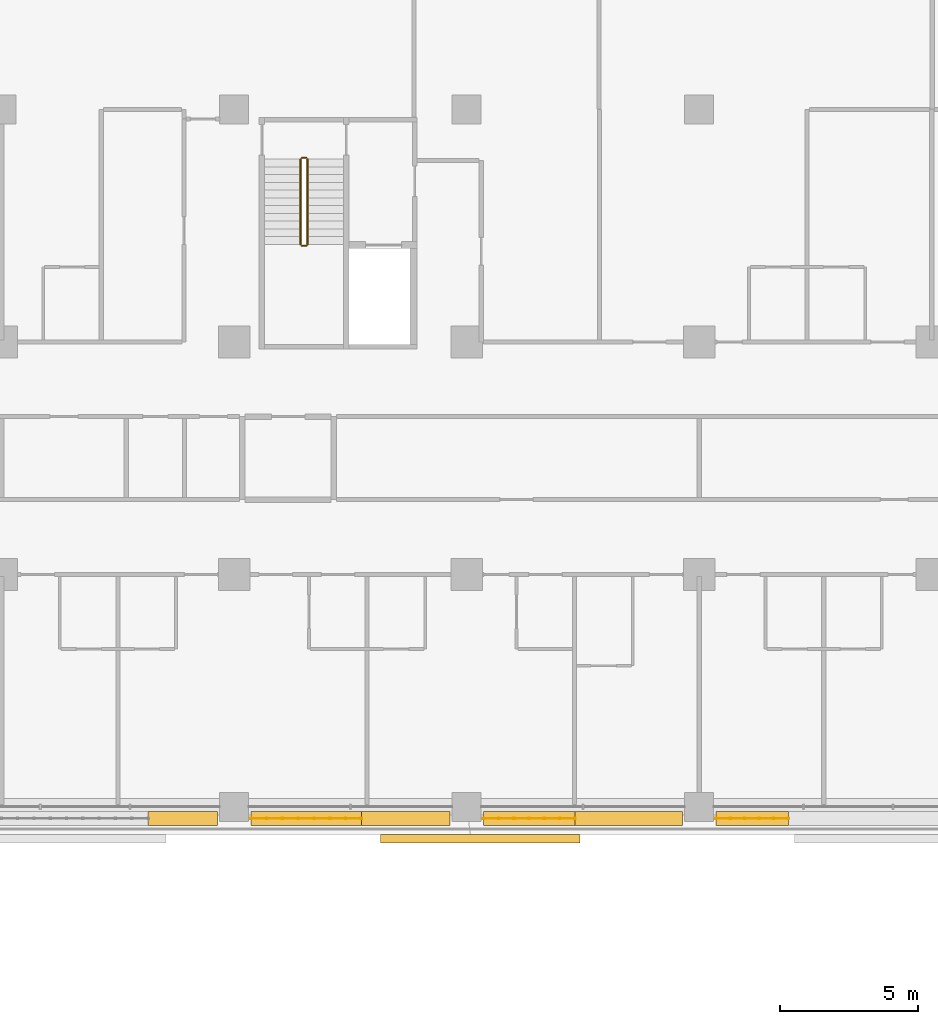
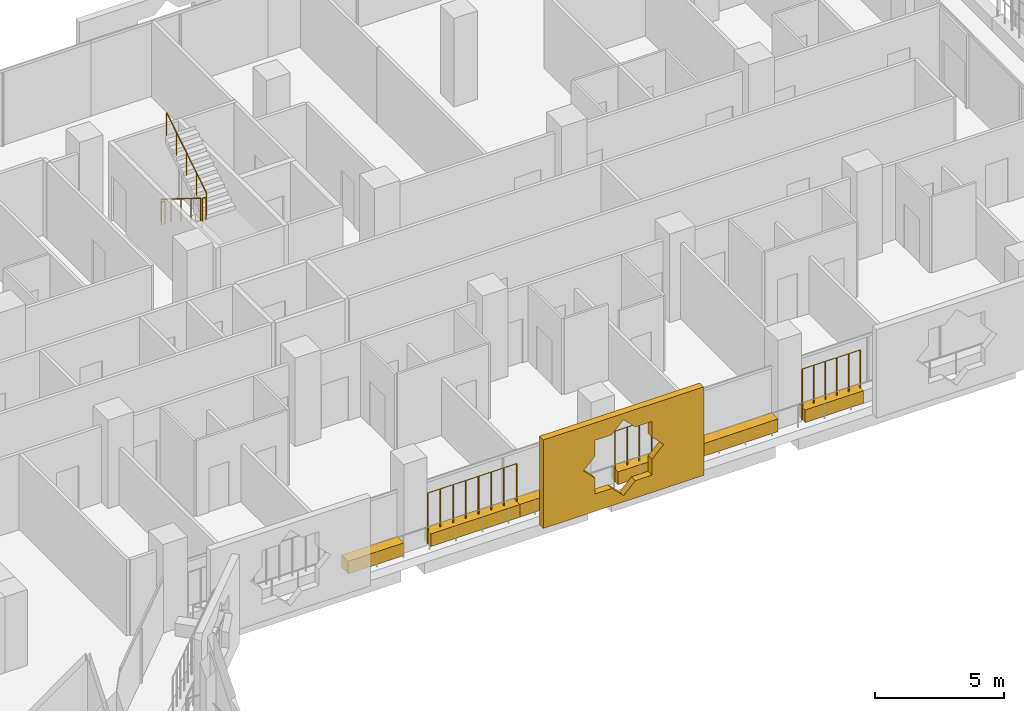
# One storey, part 23 of 25: 7 coverings, 7 railings.
"""IFC4 building model written with IfcOpenShell, lengths in metres."""

from ifc_helpers import new_model, si_unit, direction, frame, origin, origin_2d, place, context, subcontext, project, spatial, polyline, rectangle, circle, outline, extrude, material, material_profile, profile_set, type_object, element, save


model = new_model("IFC4")

# Units and contexts
model_context = context("Model", 3, precision=1e-05, world=origin(), true_north=direction((0.0, 1.0)))
body_context = subcontext(model_context, "Body", "Model", "MODEL_VIEW")
ifc_project = project(units=[si_unit("LENGTHUNIT", "METRE"), si_unit("AREAUNIT", "SQUARE_METRE"), si_unit("VOLUMEUNIT", "CUBIC_METRE"), si_unit("PLANEANGLEUNIT", "RADIAN"), si_unit("MASSUNIT", "GRAM", prefix="KILO")], contexts=[model_context])

# Site, building, storey
site_placement = place(None, origin())
site = spatial("IfcSite", under=ifc_project, at=site_placement, CompositionType="ELEMENT")
building_placement = place(site_placement, origin())
building = spatial("IfcBuilding", under=site, at=building_placement, Name="Kawkab Arch Medical Tower", CompositionType="ELEMENT")
storey_placement = place(building_placement, frame((0.0, 0.0, 140.800048828125)))
storey = spatial("IfcBuildingStorey", under=building, at=storey_placement, Name="L32", CompositionType="ELEMENT", Elevation=140.800048828125)

# Coverings
ifc_material_1 = material(Name="Bronze anodised aluminium mashrabiya panel, eight-point star pattern", Category="aluminium")
ifc_material_profile_1 = material_profile(ifc_material_1, outline(polyline([(-3.60009765625, -2.10009765625), (3.60009765625, -2.10009765625), (3.60009765625, 2.10009765625), (-3.60009765625, 2.10009765625), (-3.60009765625, -2.10009765625)]), holes=[polyline([(1.800048828125, 0.0), (1.272705078125, 0.527099609375), (1.272705078125, 1.272705078125), (0.527099609375, 1.272705078125), (0.0, 1.800048828125), (-0.527099609375, 1.272705078125), (-1.272705078125, 1.272705078125), (-1.272705078125, 0.527099609375), (-1.800048828125, 0.0), (-1.272705078125, -0.527099609375), (-1.272705078125, -1.272705078125), (-0.527099609375, -1.272705078125), (0.0, -1.800048828125), (0.527099609375, -1.272705078125), (1.272705078125, -1.272705078125), (1.272705078125, -0.527099609375), (1.800048828125, 0.0)])]), Name="Mashrabiya panel 7200x4200")
ifc_profile_set_1 = profile_set([ifc_material_profile_1], Name="Bronze anodised aluminium mashrabiya panel, eight-point star pattern")
covering_type_1 = type_object("IfcCoveringType", Name="Mashrabiya panel 7200 x 4200", PredefinedType="USERDEFINED", material=ifc_profile_set_1)
covering_1_placement = place(storey_placement, frame((50.892333984375, -26.199951171875, 1.699951171875), z_axis=(0.0, -1.0, 0.0), x_axis=(1.0, 0.0, 0.0)))
element("IfcCovering", 1, at=covering_1_placement, inside=storey, type_object=covering_type_1, Name="Mashrabiya panel L32.LOG-01-01.12", ObjectType="SCREEN", PredefinedType="USERDEFINED", context=body_context, shape_type="SweptSolid", body=[
    extrude(outline(polyline([(-3.60009765625, -2.10009765625), (3.60009765625, -2.10009765625), (3.60009765625, 2.10009765625), (-3.60009765625, 2.10009765625), (-3.60009765625, -2.10009765625)]), holes=[polyline([(1.800048828125, 0.0), (1.272705078125, 0.527099609375), (1.272705078125, 1.272705078125), (0.527099609375, 1.272705078125), (0.0, 1.800048828125), (-0.527099609375, 1.272705078125), (-1.272705078125, 1.272705078125), (-1.272705078125, 0.527099609375), (-1.800048828125, 0.0), (-1.272705078125, -0.527099609375), (-1.272705078125, -1.272705078125), (-0.527099609375, -1.272705078125), (0.0, -1.800048828125), (0.527099609375, -1.272705078125), (1.272705078125, -1.272705078125), (1.272705078125, -0.527099609375), (1.800048828125, 0.0)])]), origin(), (0.0, 0.0, 1.0), 0.300048828125),
])
ifc_material_2 = material(Name="Planting soil in a precast trough", Category="concrete")
ifc_material_profile_2 = material_profile(ifc_material_2, rectangle(XDim=0.5, YDim=0.60009765625, at=origin_2d()), Name="Trough 500x600")
ifc_profile_set_2 = profile_set([ifc_material_profile_2], Name="Planting soil in a precast trough")
covering_type_2 = type_object("IfcCoveringType", Name="Planter trough 500 x 600", PredefinedType="USERDEFINED", material=ifc_profile_set_2)
covering_2_placement = place(storey_placement, frame((62.01806640625, -25.6201171875, 0.300048828125), z_axis=(-1.0, 0.0, 0.0), x_axis=(0.0, -1.0, 0.0)))
element("IfcCovering", 2, at=covering_2_placement, inside=storey, type_object=covering_type_2, Name="Planter L32.LOG-01-01.35", ObjectType="PLANTER", PredefinedType="USERDEFINED", context=body_context, shape_type="SweptSolid", body=[
    extrude(rectangle(XDim=0.5, YDim=0.60009765625, at=origin_2d()), origin(), (0.0, 0.0, 1.0), 2.613037109375),
])
covering_3_placement = place(storey_placement, frame((58.195068359375, -25.6201171875, 0.300048828125), z_axis=(-1.0, 0.0, 0.0), x_axis=(0.0, -1.0, 0.0)))
element("IfcCovering", 3, at=covering_3_placement, inside=storey, type_object=covering_type_2, Name="Planter L32.LOG-01-01.36", ObjectType="PLANTER", PredefinedType="USERDEFINED", context=body_context, shape_type="SweptSolid", body=[
    extrude(rectangle(XDim=0.5, YDim=0.60009765625, at=origin_2d()), origin(), (0.0, 0.0, 1.0), 3.885986328125),
])
covering_4_placement = place(storey_placement, frame((54.30908203125, -25.6201171875, 0.300048828125), z_axis=(-1.0, 0.0, 0.0), x_axis=(0.0, -1.0, 0.0)))
element("IfcCovering", 4, at=covering_4_placement, inside=storey, type_object=covering_type_2, Name="Planter L32.LOG-01-01.37", ObjectType="PLANTER", PredefinedType="USERDEFINED", context=body_context, shape_type="SweptSolid", body=[
    extrude(rectangle(XDim=0.5, YDim=0.60009765625, at=origin_2d()), origin(), (0.0, 0.0, 1.0), 3.30419921875),
])
covering_5_placement = place(storey_placement, frame((49.794921875, -25.6201171875, 0.300048828125), z_axis=(-1.0, 0.0, 0.0), x_axis=(0.0, -1.0, 0.0)))
element("IfcCovering", 5, at=covering_5_placement, inside=storey, type_object=covering_type_2, Name="Planter L32.LOG-01-01.38", ObjectType="PLANTER", PredefinedType="USERDEFINED", context=body_context, shape_type="SweptSolid", body=[
    extrude(rectangle(XDim=0.5, YDim=0.60009765625, at=origin_2d()), origin(), (0.0, 0.0, 1.0), 3.19384765625),
])
covering_6_placement = place(storey_placement, frame((46.60107421875, -25.6201171875, 0.300048828125), z_axis=(-1.0, 0.0, 0.0), x_axis=(0.0, -1.0, 0.0)))
element("IfcCovering", 6, at=covering_6_placement, inside=storey, type_object=covering_type_2, Name="Planter L32.LOG-01-01.39", ObjectType="PLANTER", PredefinedType="USERDEFINED", context=body_context, shape_type="SweptSolid", body=[
    extrude(rectangle(XDim=0.5, YDim=0.60009765625, at=origin_2d()), origin(), (0.0, 0.0, 1.0), 3.99609375),
])
covering_7_placement = place(storey_placement, frame((41.39501953125, -25.6201171875, 0.300048828125), z_axis=(-1.0, 0.0, 0.0), x_axis=(0.0, -1.0, 0.0)))
element("IfcCovering", 7, at=covering_7_placement, inside=storey, type_object=covering_type_2, Name="Planter L32.LOG-01-01.40", ObjectType="PLANTER", PredefinedType="USERDEFINED", context=body_context, shape_type="SweptSolid", body=[
    extrude(rectangle(XDim=0.5, YDim=0.60009765625, at=origin_2d()), origin(), (0.0, 0.0, 1.0), 2.501953125),
])

# Railings
ifc_material_3 = material(Name="Bronze anodised aluminium trellis for climbing plants", Category="aluminium")
railing_type_1 = type_object("IfcRailingType", Name="Planting trellis 2400", PredefinedType="USERDEFINED", material=ifc_material_3)
railing_1_placement = place(storey_placement, frame((62.01806640625, -25.6201171875, 0.0)))
element("IfcRailing", 8, at=railing_1_placement, inside=storey, type_object=railing_type_1, Name="Planting trellis L32.LOG-01-01.35", ObjectType="TRELLIS", PredefinedType="USERDEFINED", context=body_context, shape_type="SweptSolid", body=[
    extrude(circle(Radius=0.01513671875, at=origin_2d()), frame((0.0, 0.0, 2.384765625), z_axis=(-1.0, 0.0, 0.0), x_axis=(0.0, -1.0, 0.0)), (0.0, 0.0, 1.0), 2.613037109375),
    extrude(circle(Radius=0.030029296875, at=origin_2d()), origin(), (0.0, 0.0, 1.0), 2.369873046875),
    extrude(circle(Radius=0.030029296875, at=origin_2d()), frame((-0.522705078125, 0.0, 0.0)), (0.0, 0.0, 1.0), 2.369873046875),
    extrude(circle(Radius=0.030029296875, at=origin_2d()), frame((-1.045166015625, 0.0, 0.0)), (0.0, 0.0, 1.0), 2.369873046875),
    extrude(circle(Radius=0.030029296875, at=origin_2d()), frame((-1.56787109375, 0.0, 0.0)), (0.0, 0.0, 1.0), 2.369873046875),
    extrude(circle(Radius=0.030029296875, at=origin_2d()), frame((-2.09033203125, 0.0, 0.0)), (0.0, 0.0, 1.0), 2.369873046875),
    extrude(circle(Radius=0.030029296875, at=origin_2d()), frame((-2.613037109375, 0.0, 0.0)), (0.0, 0.0, 1.0), 2.369873046875),
])
railing_2_placement = place(storey_placement, frame((54.30908203125, -25.6201171875, 0.0)))
element("IfcRailing", 9, at=railing_2_placement, inside=storey, type_object=railing_type_1, Name="Planting trellis L32.LOG-01-01.37", ObjectType="TRELLIS", PredefinedType="USERDEFINED", context=body_context, shape_type="SweptSolid", body=[
    extrude(circle(Radius=0.01513671875, at=origin_2d()), frame((0.0, 0.0, 2.384765625), z_axis=(-1.0, 0.0, 0.0), x_axis=(0.0, -1.0, 0.0)), (0.0, 0.0, 1.0), 3.30419921875),
    extrude(circle(Radius=0.030029296875, at=origin_2d()), origin(), (0.0, 0.0, 1.0), 2.369873046875),
    extrude(circle(Radius=0.030029296875, at=origin_2d()), frame((-0.55078125, 0.0, 0.0)), (0.0, 0.0, 1.0), 2.369873046875),
    extrude(circle(Radius=0.030029296875, at=origin_2d()), frame((-1.101318359375, 0.0, 0.0)), (0.0, 0.0, 1.0), 2.369873046875),
    extrude(circle(Radius=0.030029296875, at=origin_2d()), frame((-1.652099609375, 0.0, 0.0)), (0.0, 0.0, 1.0), 2.369873046875),
    extrude(circle(Radius=0.030029296875, at=origin_2d()), frame((-2.202880859375, 0.0, 0.0)), (0.0, 0.0, 1.0), 2.369873046875),
    extrude(circle(Radius=0.030029296875, at=origin_2d()), frame((-2.75341796875, 0.0, 0.0)), (0.0, 0.0, 1.0), 2.369873046875),
    extrude(circle(Radius=0.030029296875, at=origin_2d()), frame((-3.30419921875, 0.0, 0.0)), (0.0, 0.0, 1.0), 2.369873046875),
])
railing_3_placement = place(storey_placement, frame((46.60107421875, -25.6201171875, 0.0)))
element("IfcRailing", 10, at=railing_3_placement, inside=storey, type_object=railing_type_1, Name="Planting trellis L32.LOG-01-01.39", ObjectType="TRELLIS", PredefinedType="USERDEFINED", context=body_context, shape_type="SweptSolid", body=[
    extrude(circle(Radius=0.01513671875, at=origin_2d()), frame((0.0, 0.0, 2.384765625), z_axis=(-1.0, 0.0, 0.0), x_axis=(0.0, -1.0, 0.0)), (0.0, 0.0, 1.0), 3.99609375),
    extrude(circle(Radius=0.030029296875, at=origin_2d()), origin(), (0.0, 0.0, 1.0), 2.369873046875),
    extrude(circle(Radius=0.030029296875, at=origin_2d()), frame((-0.57080078125, 0.0, 0.0)), (0.0, 0.0, 1.0), 2.369873046875),
    extrude(circle(Radius=0.030029296875, at=origin_2d()), frame((-1.141845703125, 0.0, 0.0)), (0.0, 0.0, 1.0), 2.369873046875),
    extrude(circle(Radius=0.030029296875, at=origin_2d()), frame((-1.712646484375, 0.0, 0.0)), (0.0, 0.0, 1.0), 2.369873046875),
    extrude(circle(Radius=0.030029296875, at=origin_2d()), frame((-2.283447265625, 0.0, 0.0)), (0.0, 0.0, 1.0), 2.369873046875),
    extrude(circle(Radius=0.030029296875, at=origin_2d()), frame((-2.854248046875, 0.0, 0.0)), (0.0, 0.0, 1.0), 2.369873046875),
    extrude(circle(Radius=0.030029296875, at=origin_2d()), frame((-3.42529296875, 0.0, 0.0)), (0.0, 0.0, 1.0), 2.369873046875),
    extrude(circle(Radius=0.030029296875, at=origin_2d()), frame((-3.99609375, 0.0, 0.0)), (0.0, 0.0, 1.0), 2.369873046875),
])
ifc_material_4 = material(Name="Stainless steel", Category="steel")
railing_type_2 = type_object("IfcRailingType", Name="Stair guard 1100", PredefinedType="GUARDRAIL", material=ifc_material_4)
railing_4_placement = place(storey_placement, frame((44.39990234375, -1.800048828125, 0.175048828125)))
element("IfcRailing", 11, at=railing_4_placement, inside=storey, type_object=railing_type_2, Name="L32 ST5 stair guard 1", PredefinedType="GUARDRAIL", context=body_context, shape_type="SweptSolid", body=[
    extrude(circle(Radius=0.02392578125, at=origin_2d()), frame((0.0, 0.0, 1.076171875), z_axis=(0.0, -0.848009633417, 0.529980812513), x_axis=(1.0, 0.0, 0.0)), (0.0, 0.0, 1.0), 3.6318359375),
    extrude(circle(Radius=0.02099609375, at=origin_2d()), origin(), (0.0, 0.0, 1.0), 1.052001953125),
    extrude(circle(Radius=0.02099609375, at=origin_2d()), frame((0.0, -0.77001953125, 0.481201171875)), (0.0, 0.0, 1.0), 1.052001953125),
    extrude(circle(Radius=0.02099609375, at=origin_2d()), frame((0.0, -1.5400390625, 0.96240234375)), (0.0, 0.0, 1.0), 1.052001953125),
    extrude(circle(Radius=0.02099609375, at=origin_2d()), frame((0.0, -2.309814453125, 1.443603515625)), (0.0, 0.0, 1.0), 1.052001953125),
    extrude(circle(Radius=0.02099609375, at=origin_2d()), frame((0.0, -3.079833984375, 1.9248046875)), (0.0, 0.0, 1.0), 1.052001953125),
])
railing_5_placement = place(storey_placement, frame((44.449951171875, -4.929931640625, 2.099853515625)))
element("IfcRailing", 12, at=railing_5_placement, inside=storey, type_object=railing_type_2, Name="L32 ST5 stair guard 2", PredefinedType="GUARDRAIL", context=body_context, shape_type="SweptSolid", body=[
    extrude(circle(Radius=0.02392578125, at=origin_2d()), frame((0.0, 0.0, 1.076171875), z_axis=(1.0, 0.0, 0.0), x_axis=(0.0, 1.0, 0.0)), (0.0, 0.0, 1.0), 0.150146484375),
    extrude(circle(Radius=0.02099609375, at=origin_2d()), origin(), (0.0, 0.0, 1.0), 1.052001953125),
    extrude(circle(Radius=0.02099609375, at=origin_2d()), frame((0.150146484375, 0.0, 0.0)), (0.0, 0.0, 1.0), 1.052001953125),
])
railing_6_placement = place(storey_placement, frame((44.64990234375, -4.8798828125, 2.27490234375)))
element("IfcRailing", 13, at=railing_6_placement, inside=storey, type_object=railing_type_2, Name="L32 ST5 stair guard 3", PredefinedType="GUARDRAIL", context=body_context, shape_type="SweptSolid", body=[
    extrude(circle(Radius=0.02392578125, at=origin_2d()), frame((0.0, 0.0, 1.076171875), z_axis=(0.0, 0.847979421464, 0.530029150871), x_axis=(-1.0, 0.0, 0.0)), (0.0, 0.0, 1.0), 3.632080078125),
    extrude(circle(Radius=0.02099609375, at=origin_2d()), origin(), (0.0, 0.0, 1.0), 1.052001953125),
    extrude(circle(Radius=0.02099609375, at=origin_2d()), frame((0.0, 0.77001953125, 0.481201171875)), (0.0, 0.0, 1.0), 1.052001953125),
    extrude(circle(Radius=0.02099609375, at=origin_2d()), frame((0.0, 1.5400390625, 0.96240234375)), (0.0, 0.0, 1.0), 1.052001953125),
    extrude(circle(Radius=0.02099609375, at=origin_2d()), frame((0.0, 2.309814453125, 1.44384765625)), (0.0, 0.0, 1.0), 1.052001953125),
    extrude(circle(Radius=0.02099609375, at=origin_2d()), frame((0.0, 3.079833984375, 1.925048828125)), (0.0, 0.0, 1.0), 1.052001953125),
])
railing_7_placement = place(storey_placement, frame((44.449951171875, -1.75, 0.0)))
element("IfcRailing", 14, at=railing_7_placement, inside=storey, type_object=railing_type_2, Name="L32 ST5 stair guard 4", PredefinedType="GUARDRAIL", context=body_context, shape_type="SweptSolid", body=[
    extrude(circle(Radius=0.02392578125, at=origin_2d()), frame((0.0, 0.0, 1.076171875), z_axis=(1.0, 0.0, 0.0), x_axis=(0.0, 1.0, 0.0)), (0.0, 0.0, 1.0), 0.150146484375),
    extrude(circle(Radius=0.02099609375, at=origin_2d()), origin(), (0.0, 0.0, 1.0), 1.052001953125),
    extrude(circle(Radius=0.02099609375, at=origin_2d()), frame((0.150146484375, 0.0, 0.0)), (0.0, 0.0, 1.0), 1.052001953125),
])

save(model, "model.ifc")
